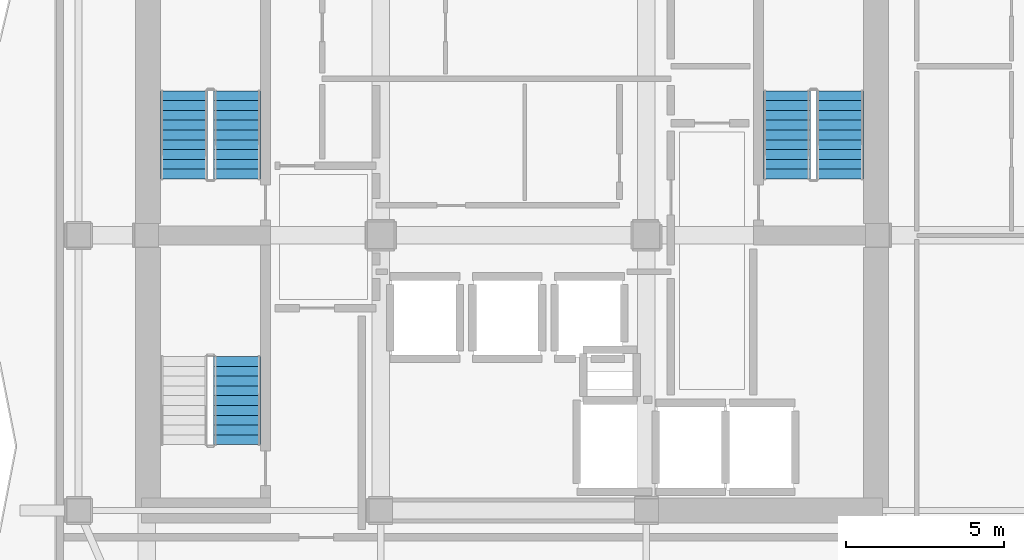
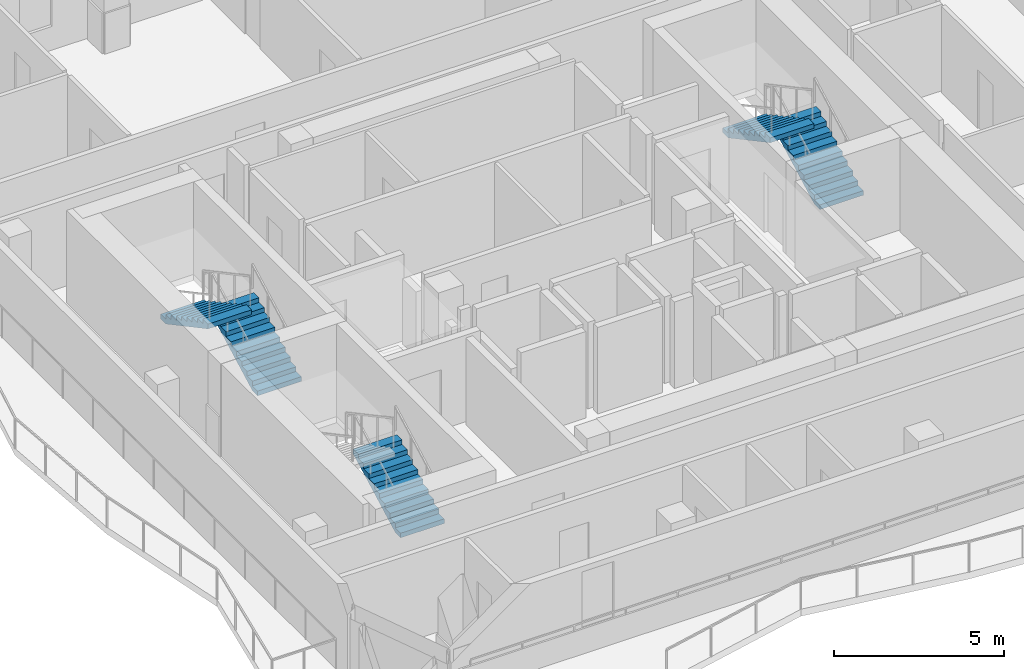
# One storey, part 6 of 9: 5 stair flights, 3 elements without a shape of their own.
"""IFC4 building model written with IfcOpenShell, lengths in metres."""

from ifc_helpers import new_model, si_unit, direction, frame, origin, place, context, subcontext, project, spatial, polyline, outline, extrude, material, type_object, element, aggregate, save


model = new_model("IFC4")

# Units and contexts
model_context = context("Model", 3, precision=1e-05, world=origin(), true_north=direction((0.0, 1.0)))
body_context = subcontext(model_context, "Body", "Model", "MODEL_VIEW")
ifc_project = project(units=[si_unit("LENGTHUNIT", "METRE"), si_unit("AREAUNIT", "SQUARE_METRE"), si_unit("VOLUMEUNIT", "CUBIC_METRE"), si_unit("PLANEANGLEUNIT", "RADIAN"), si_unit("MASSUNIT", "GRAM", prefix="KILO")], contexts=[model_context])

# Site, building, storey
site_placement = place(None, origin())
site = spatial("IfcSite", under=ifc_project, at=site_placement, CompositionType="ELEMENT")
building_placement = place(site_placement, origin())
building = spatial("IfcBuilding", under=site, at=building_placement, Name="Solanera Arch Residences", CompositionType="ELEMENT")
storey_placement = place(building_placement, frame((0.0, 0.0, 237.919921875)))
storey = spatial("IfcBuildingStorey", under=building, at=storey_placement, Name="L69", CompositionType="ELEMENT", Elevation=237.919921875)

# Stair, stair flights
ifc_material_1 = material(Name="Concrete C40/50 (f'c = 45 MPa)", Category="concrete")
stair_type = type_object("IfcStairType", Name="Tower Dogleg Exit Stair 1480", PredefinedType="HALF_TURN_STAIR", material=ifc_material_1)
stair_1_placement = place(storey_placement, origin())
stair_1 = element("IfcStair", 1, at=stair_1_placement, inside=storey, type_object=stair_type, Name="L69 Tower Core Exit Stair 1", PredefinedType="HALF_TURN_STAIR")
ifc_material_2 = material(Name="Concrete C40/50 (f'c = 45 MPa)", Category="concrete")
stair_flight_type = type_object("IfcStairFlightType", Name="Tower Precast Stair Flight 1480", PredefinedType="STRAIGHT", material=ifc_material_2)
stair_flight_1_placement = place(storey_placement, frame((16.260009765625, 32.47998046875, 0.0), z_axis=(0.0, 0.0, 1.0), x_axis=(0.0, 1.0, 0.0)))
stair_flight_1 = element("IfcStairFlight", 2, at=stair_flight_1_placement, type_object=stair_flight_type, Name="ST-T1 flight 1", NumberOfRisers=10, NumberOfTreads=9, PredefinedType="STRAIGHT", RiserHeight=0.166, TreadLength=0.31, context=body_context, shape_type="SweptSolid", body=[
    extrude(outline(polyline([(0.0, 0.0), (0.0, 0.166015625), (0.31005859375, 0.166015625), (0.31005859375, 0.33203125), (0.6201171875, 0.33203125), (0.6201171875, 0.498046875), (0.929931640625, 0.498046875), (0.929931640625, 0.6640625), (1.239990234375, 0.6640625), (1.239990234375, 0.830078125), (1.550048828125, 0.830078125), (1.550048828125, 0.99609375), (1.860107421875, 0.99609375), (1.860107421875, 1.162109375), (2.169921875, 1.162109375), (2.169921875, 1.327880859375), (2.47998046875, 1.327880859375), (2.47998046875, 1.493896484375), (2.7900390625, 1.493896484375), (2.7900390625, 1.659912109375), (2.7900390625, 1.323974609375), (0.317626953125, 0.0), (0.0, 0.0)])), frame((0.0, 0.739990234375, 0.0), z_axis=(0.0, -1.0, 0.0), x_axis=(1.0, 0.0, 0.0)), (0.0, 0.0, 1.0), 1.47998046875),
])
stair_flight_2_placement = place(storey_placement, frame((14.580078125, 35.27001953125, 1.66015625), z_axis=(0.0, 0.0, 1.0), x_axis=(0.0, -1.0, 0.0)))
stair_flight_2 = element("IfcStairFlight", 3, at=stair_flight_2_placement, type_object=stair_flight_type, Name="ST-T1 flight 2", NumberOfRisers=10, NumberOfTreads=9, PredefinedType="STRAIGHT", RiserHeight=0.166, TreadLength=0.31, context=body_context, shape_type="SweptSolid", body=[
    extrude(outline(polyline([(0.0, 0.0), (0.0, 0.166015625), (0.31005859375, 0.166015625), (0.31005859375, 0.33203125), (0.6201171875, 0.33203125), (0.6201171875, 0.498046875), (0.929931640625, 0.498046875), (0.929931640625, 0.6640625), (1.239990234375, 0.6640625), (1.239990234375, 0.830078125), (1.550048828125, 0.830078125), (1.550048828125, 0.99609375), (1.860107421875, 0.99609375), (1.860107421875, 1.162109375), (2.169921875, 1.162109375), (2.169921875, 1.327880859375), (2.47998046875, 1.327880859375), (2.47998046875, 1.493896484375), (2.7900390625, 1.493896484375), (2.7900390625, 1.659912109375), (2.7900390625, 1.323974609375), (0.317626953125, 0.0), (0.0, 0.0)])), frame((0.0, 0.739990234375, 0.0), z_axis=(0.0, -1.0, 0.0), x_axis=(1.0, 0.0, 0.0)), (0.0, 0.0, 1.0), 1.47998046875),
])
aggregate(stair_1, [stair_flight_1, stair_flight_2])

stair_2_placement = place(storey_placement, origin())
stair_2 = element("IfcStair", 4, at=stair_2_placement, inside=storey, type_object=stair_type, Name="L69 Tower Core Exit Stair 2", PredefinedType="HALF_TURN_STAIR")
stair_flight_3_placement = place(storey_placement, frame((35.320068359375, 32.47998046875, 0.0), z_axis=(0.0, 0.0, 1.0), x_axis=(0.0, 1.0, 0.0)))
stair_flight_3 = element("IfcStairFlight", 5, at=stair_flight_3_placement, type_object=stair_flight_type, Name="ST-T2 flight 1", NumberOfRisers=10, NumberOfTreads=9, PredefinedType="STRAIGHT", RiserHeight=0.166, TreadLength=0.31, context=body_context, shape_type="SweptSolid", body=[
    extrude(outline(polyline([(0.0, 0.0), (0.0, 0.166015625), (0.31005859375, 0.166015625), (0.31005859375, 0.33203125), (0.6201171875, 0.33203125), (0.6201171875, 0.498046875), (0.929931640625, 0.498046875), (0.929931640625, 0.6640625), (1.239990234375, 0.6640625), (1.239990234375, 0.830078125), (1.550048828125, 0.830078125), (1.550048828125, 0.99609375), (1.860107421875, 0.99609375), (1.860107421875, 1.162109375), (2.169921875, 1.162109375), (2.169921875, 1.327880859375), (2.47998046875, 1.327880859375), (2.47998046875, 1.493896484375), (2.7900390625, 1.493896484375), (2.7900390625, 1.659912109375), (2.7900390625, 1.323974609375), (0.317626953125, 0.0), (0.0, 0.0)])), frame((0.0, 0.739990234375, 0.0), z_axis=(0.0, -1.0, 0.0), x_axis=(1.0, 0.0, 0.0)), (0.0, 0.0, 1.0), 1.47998046875),
])
stair_flight_4_placement = place(storey_placement, frame((33.639892578125, 35.27001953125, 1.66015625), z_axis=(0.0, 0.0, 1.0), x_axis=(0.0, -1.0, 0.0)))
stair_flight_4 = element("IfcStairFlight", 6, at=stair_flight_4_placement, type_object=stair_flight_type, Name="ST-T2 flight 2", NumberOfRisers=10, NumberOfTreads=9, PredefinedType="STRAIGHT", RiserHeight=0.166, TreadLength=0.31, context=body_context, shape_type="SweptSolid", body=[
    extrude(outline(polyline([(0.0, 0.0), (0.0, 0.166015625), (0.31005859375, 0.166015625), (0.31005859375, 0.33203125), (0.6201171875, 0.33203125), (0.6201171875, 0.498046875), (0.929931640625, 0.498046875), (0.929931640625, 0.6640625), (1.239990234375, 0.6640625), (1.239990234375, 0.830078125), (1.550048828125, 0.830078125), (1.550048828125, 0.99609375), (1.860107421875, 0.99609375), (1.860107421875, 1.162109375), (2.169921875, 1.162109375), (2.169921875, 1.327880859375), (2.47998046875, 1.327880859375), (2.47998046875, 1.493896484375), (2.7900390625, 1.493896484375), (2.7900390625, 1.659912109375), (2.7900390625, 1.323974609375), (0.317626953125, 0.0), (0.0, 0.0)])), frame((0.0, 0.739990234375, 0.0), z_axis=(0.0, -1.0, 0.0), x_axis=(1.0, 0.0, 0.0)), (0.0, 0.0, 1.0), 1.47998046875),
])
aggregate(stair_2, [stair_flight_3, stair_flight_4])

# Stair, stair flight
stair_3_placement = place(storey_placement, origin())
stair_3 = element("IfcStair", 7, at=stair_3_placement, inside=storey, type_object=stair_type, Name="L69 Tower Core Exit Stair 3", PredefinedType="HALF_TURN_STAIR")
stair_flight_5_placement = place(storey_placement, frame((16.260009765625, 24.080078125, 0.0), z_axis=(0.0, 0.0, 1.0), x_axis=(0.0, 1.0, 0.0)))
stair_flight_5 = element("IfcStairFlight", 8, at=stair_flight_5_placement, type_object=stair_flight_type, Name="ST-T3 flight 1", NumberOfRisers=10, NumberOfTreads=9, PredefinedType="STRAIGHT", RiserHeight=0.166, TreadLength=0.31, context=body_context, shape_type="SweptSolid", body=[
    extrude(outline(polyline([(0.0, 0.0), (0.0, 0.166015625), (0.31005859375, 0.166015625), (0.31005859375, 0.33203125), (0.6201171875, 0.33203125), (0.6201171875, 0.498046875), (0.929931640625, 0.498046875), (0.929931640625, 0.6640625), (1.239990234375, 0.6640625), (1.239990234375, 0.830078125), (1.550048828125, 0.830078125), (1.550048828125, 0.99609375), (1.860107421875, 0.99609375), (1.860107421875, 1.162109375), (2.169921875, 1.162109375), (2.169921875, 1.327880859375), (2.47998046875, 1.327880859375), (2.47998046875, 1.493896484375), (2.7900390625, 1.493896484375), (2.7900390625, 1.659912109375), (2.7900390625, 1.323974609375), (0.317626953125, 0.0), (0.0, 0.0)])), frame((0.0, 0.739990234375, 0.0), z_axis=(0.0, -1.0, 0.0), x_axis=(1.0, 0.0, 0.0)), (0.0, 0.0, 1.0), 1.47998046875),
])
aggregate(stair_3, [stair_flight_5])

save(model, "model.ifc")
